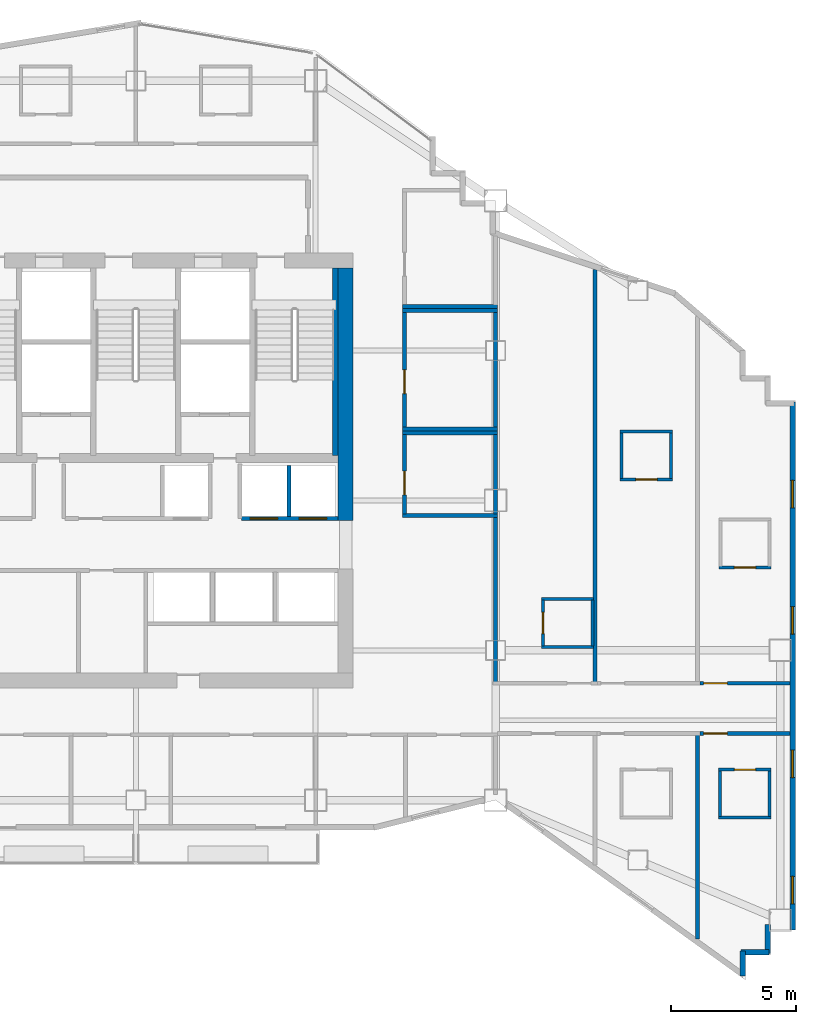
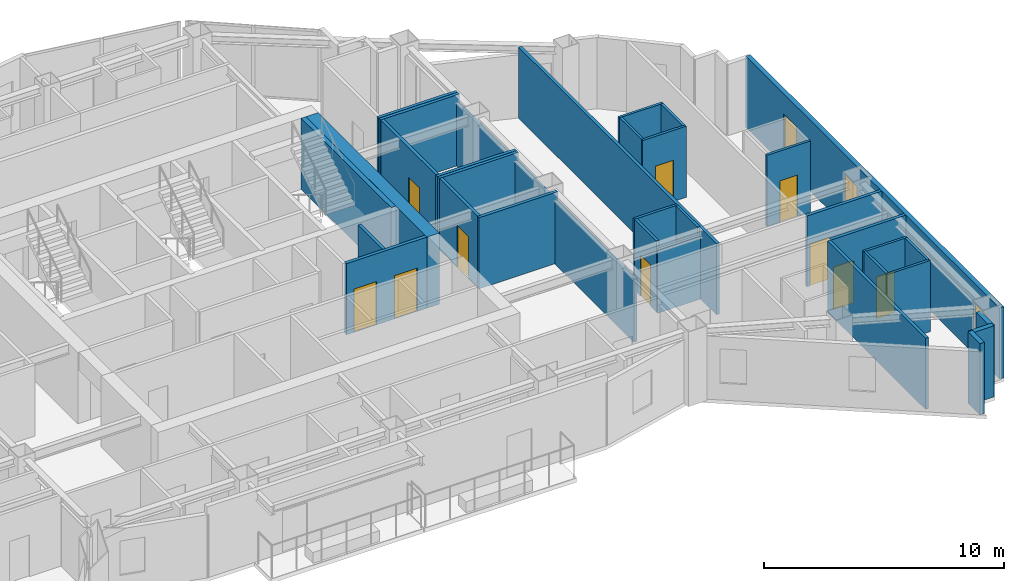
# One storey, part 8 of 11: 35 walls, 10 doors, 4 windows, 14 openings.
"""IFC4 building model written with IfcOpenShell, lengths in metres."""

import ifcopenshell
import ifcopenshell.guid

model = None  # the IFC model being written
_history = None  # IfcOwnerHistory: only IFC2X3 demands one
_inside = {}  # id of a spatial element -> (the spatial element, [elements in it])
_under = {}  # id of a project, library or spatial element -> (it, [spatial elements below it])
_declared = {}  # id of a project -> (the project, [libraries it declares])
_typed = {}  # id of a type object -> (the type object, [elements of that type])
_made_of = {}  # id of a material, layer set ... -> (it, [elements and type objects made of it])


def new_model(schema):
    """Start an empty IFC model of exactly this schema.

    Asked for "IFC4X3", IfcOpenShell would pick the latest addendum, in which some entities
    have other attributes; the version numbers below select the first issue.
    IFC2X3 requires an IfcOwnerHistory on every rooted entity: one is made here for all.
    """
    global model, _history
    if schema == "IFC4X3":
        model = ifcopenshell.file(schema_version=(4, 3, 0, 0))
    else:
        model = ifcopenshell.file(schema=schema)
    _inside.clear()
    _under.clear()
    _declared.clear()
    _typed.clear()
    _made_of.clear()
    _history = None
    if model.schema == "IFC2X3":
        org = make("IfcOrganization", Name="unknown")
        user = make(
            "IfcPersonAndOrganization",
            ThePerson=make("IfcPerson", FamilyName="unknown"),
            TheOrganization=org,
        )
        app = make(
            "IfcApplication",
            ApplicationDeveloper=org,
            Version="unknown",
            ApplicationFullName="unknown",
            ApplicationIdentifier="unknown",
        )
        _history = make(
            "IfcOwnerHistory",
            OwningUser=user,
            OwningApplication=app,
            ChangeAction="ADDED",
            CreationDate=0,
        )
    return model


def make(cls, **values):
    """One entity of the class cls with the attributes given. An attribute that is None is left unset."""
    return model.create_entity(
        cls, **{name: value for name, value in values.items() if value is not None}
    )


def rooted(cls, **values):
    """An entity with a GlobalId (a new one), such as an element, a storey or a relation."""
    return make(cls, GlobalId=ifcopenshell.guid.new(), OwnerHistory=_history, **values)


def si_unit(unit_type, name, prefix=None):
    """IfcSIUnit, for example si_unit("LENGTHUNIT", "METRE", prefix="MILLI")."""
    return make("IfcSIUnit", UnitType=unit_type, Prefix=prefix, Name=name)


def assignment(units):
    """IfcUnitAssignment: the units of a project."""
    return None if units is None else make("IfcUnitAssignment", Units=units)


def point(xyz):
    """IfcCartesianPoint."""
    return None if xyz is None else make("IfcCartesianPoint", Coordinates=xyz)


def direction(xyz):
    """IfcDirection."""
    return None if xyz is None else make("IfcDirection", DirectionRatios=xyz)


def frame(location, z_axis=None, x_axis=None):
    """IfcAxis2Placement3D, a coordinate frame: its origin and axes. An axis left out is left unset."""
    return make(
        "IfcAxis2Placement3D",
        Location=point(location),
        Axis=direction(z_axis),
        RefDirection=direction(x_axis),
    )


def frame_2d(location, x_axis=None):
    """IfcAxis2Placement2D, a coordinate frame in the plane: its origin and x axis."""
    return make(
        "IfcAxis2Placement2D", Location=point(location), RefDirection=direction(x_axis)
    )


def origin():
    """The frame at (0, 0, 0) with its axes left unset."""
    return frame((0.0, 0.0, 0.0))


def place(relative_to, where):
    """IfcLocalPlacement: puts the frame where relative to a parent placement (None: the world)."""
    return make(
        "IfcLocalPlacement", PlacementRelTo=relative_to, RelativePlacement=where
    )


def context(
    kind, dimensions, precision=None, world=None, true_north=None, identifier=None
):
    """IfcGeometricRepresentationContext, for example the 3D "Model" context."""
    return make(
        "IfcGeometricRepresentationContext",
        ContextIdentifier=identifier,
        ContextType=kind,
        CoordinateSpaceDimension=dimensions,
        Precision=precision,
        WorldCoordinateSystem=world,
        TrueNorth=true_north,
    )


def subcontext(parent, identifier, kind, view, scale=None):
    """IfcGeometricRepresentationSubContext, for example "Body" below "Model"."""
    return make(
        "IfcGeometricRepresentationSubContext",
        ContextIdentifier=identifier,
        ContextType=kind,
        ParentContext=parent,
        TargetScale=scale,
        TargetView=view,
    )


def project(units=None, contexts=None):
    """IfcProject with its units and contexts."""
    return rooted(
        "IfcProject",
        Name="project",
        RepresentationContexts=contexts,
        UnitsInContext=assignment(units),
    )


def spatial(cls, under=None, at=None, **own):
    """A site, building, storey or space (cls), placed at a placement, below another one or the project."""
    s = rooted(cls, ObjectPlacement=at, **own)
    if under is not None:
        _under.setdefault(under.id(), (under, []))[1].append(s)
    return s


def profile(cls, at=None, kind="AREA", **sizes):
    """A parametric profile (cls). Its sizes go by their IFC names, for example OverallWidth=200.0."""
    return make(cls, ProfileType=kind, Position=at, **sizes)


def rectangle(**sizes):
    """IfcRectangleProfileDef."""
    return profile("IfcRectangleProfileDef", **sizes)


def extrude(swept, where, along, depth):
    """IfcExtrudedAreaSolid: the profile swept, set in the frame where, extruded along a direction by depth."""
    return make(
        "IfcExtrudedAreaSolid",
        SweptArea=swept,
        Position=where,
        ExtrudedDirection=direction(along),
        Depth=depth,
    )


def shape(context_of_items, identifier, shape_type, items):
    """IfcShapeRepresentation: the items that make up one representation, for example the "Body"."""
    return make(
        "IfcShapeRepresentation",
        ContextOfItems=context_of_items,
        RepresentationIdentifier=identifier,
        RepresentationType=shape_type,
        Items=items,
    )


def material(Name=None, Category=None):
    """IfcMaterial."""
    return make("IfcMaterial", Name=Name, Category=Category)


def layer(
    of_material, thickness, ventilated=None, Name=None, Category=None, Priority=None
):
    """IfcMaterialLayer: one layer of a wall or slab, of a material (None: an air gap)."""
    return make(
        "IfcMaterialLayer",
        Material=of_material,
        LayerThickness=thickness,
        IsVentilated=ventilated,
        Name=Name,
        Category=Category,
        Priority=Priority,
    )


def layer_set(layers, Name=None):
    """IfcMaterialLayerSet."""
    return make("IfcMaterialLayerSet", MaterialLayers=layers, LayerSetName=Name)


def made_of(thing, what):
    """Note that an element or type object is made of a material, layer set ...; save() writes the relation."""
    if what is not None:
        _made_of.setdefault(what.id(), (what, []))[1].append(thing)
    return thing


def type_object(cls, material=None, **own):
    """A type object (cls), such as IfcWallType, which elements share."""
    return made_of(rooted(cls, **own), material)


def element(
    cls,
    number,
    at=None,
    inside=None,
    cuts=None,
    type_object=None,
    material=None,
    context=None,
    identifier="Body",
    shape_type=None,
    held_by="IfcProductDefinitionShape",
    body=None,
    shapes=None,
    **own,
):
    """One element of the class cls, such as IfcWall. Its Tag is "e" and its number.

    at: its placement. inside: the storey or other place that contains it. cuts: it is an
    opening in that element (IfcRelVoidsElement). A single representation is given by context,
    identifier, shape_type and body (its items); several are given by shapes. held_by: the class
    of the entity that holds the representations. save() writes the other relations.
    """
    e = rooted(cls, Tag="e%d" % number, ObjectPlacement=at, **own)
    if body is not None:
        shapes = [shape(context, identifier, shape_type, body)]
    if shapes is not None:
        e.Representation = make(held_by, Representations=shapes)
    if inside is not None:
        _inside.setdefault(inside.id(), (inside, []))[1].append(e)
    if cuts is not None:
        rooted(
            "IfcRelVoidsElement", RelatingBuildingElement=cuts, RelatedOpeningElement=e
        )
    if type_object is not None:
        _typed.setdefault(type_object.id(), (type_object, []))[1].append(e)
    return made_of(e, material)


def fill(opening, filler):
    """IfcRelFillsElement: the door or window that sits in an opening."""
    return rooted(
        "IfcRelFillsElement",
        RelatingOpeningElement=opening,
        RelatedBuildingElement=filler,
    )


def aggregate(whole, parts):
    """IfcRelAggregates: a whole, such as a stair, and the parts it consists of."""
    return rooted("IfcRelAggregates", RelatingObject=whole, RelatedObjects=parts)


def save(model, path):
    """Write the relations noted so far, then the file.

    IfcRelAggregates (storeys below a building ...), IfcRelContainedInSpatialStructure (elements
    in a storey), IfcRelDefinesByType, IfcRelAssociatesMaterial and IfcRelDeclares: one each for
    every whole, place, type object, material and project.
    """
    for whole, parts in _under.values():
        aggregate(whole, parts)
    for where, things in _inside.values():
        rooted(
            "IfcRelContainedInSpatialStructure",
            RelatedElements=things,
            RelatingStructure=where,
        )
    for kind, things in _typed.values():
        rooted("IfcRelDefinesByType", RelatedObjects=things, RelatingType=kind)
    for what, things in _made_of.values():
        rooted("IfcRelAssociatesMaterial", RelatedObjects=things, RelatingMaterial=what)
    for by, libraries in _declared.values():
        rooted("IfcRelDeclares", RelatingContext=by, RelatedDefinitions=libraries)
    model.write(path)


model = new_model("IFC4")

# Units and contexts
model_context = context("Model", 3, precision=1e-05, world=origin(), true_north=direction((0.0, 1.0)))
body_context = subcontext(model_context, "Body", "Model", "MODEL_VIEW")
ifc_project = project(units=[si_unit("LENGTHUNIT", "METRE"), si_unit("AREAUNIT", "SQUARE_METRE"), si_unit("VOLUMEUNIT", "CUBIC_METRE"), si_unit("PLANEANGLEUNIT", "RADIAN"), si_unit("MASSUNIT", "GRAM", prefix="KILO")], contexts=[model_context])

# Site, building, storey
site_placement = place(None, origin())
site = spatial("IfcSite", under=ifc_project, at=site_placement, CompositionType="ELEMENT")
building_placement = place(site_placement, origin())
building = spatial("IfcBuilding", under=site, at=building_placement, Name="Haolan Belvedere Tower", CompositionType="ELEMENT")
storey_placement = place(building_placement, frame((0.0, 0.0, 191.800048828125)))
storey = spatial("IfcBuildingStorey", under=building, at=storey_placement, Name="L48", CompositionType="ELEMENT", Elevation=191.800048828125)

# Walls
ifc_material_1 = material(Name="Concrete C60/75", Category="concrete")
ifc_layer_1 = layer(ifc_material_1, 0.60009765625, Name="Concrete C60/75")
ifc_layer_set_1 = layer_set([ifc_layer_1], Name="Concrete C60/75")
wall_type_1 = type_object("IfcWallType", Name="WL-CORE-600", PredefinedType="SHEAR", material=ifc_layer_set_1)
wall_1_placement = place(storey_placement, frame((46.800048828125, 32.800048828125, 0.0), z_axis=(0.0, 0.0, 1.0), x_axis=(0.0, 1.0, 0.0)))
element("IfcWall", 1, at=wall_1_placement, inside=storey, type_object=wall_type_1, Name="L48 central core shear wall EN", PredefinedType="SHEAR", context=body_context, shape_type="SweptSolid", body=[
    extrude(rectangle(XDim=10.099853515625, YDim=0.60009765625, at=frame_2d((5.0498046875, 0.0))), origin(), (0.0, 0.0, 1.0), 3.619873046875),
])
ifc_material_2 = material(Name="Precast concrete C40/50", Category="concrete")
ifc_layer_2 = layer(ifc_material_2, 0.219970703125, Name="Precast concrete C40/50")
ifc_layer_set_2 = layer_set([ifc_layer_2], Name="Precast concrete C40/50")
wall_type_2 = type_object("IfcWallType", Name="WL-EXT-220", PredefinedType="SOLIDWALL", material=ifc_layer_set_2)
wall_2_placement = place(storey_placement, frame((62.68994140625, 14.559814453125, 0.0), z_axis=(0.0, 0.0, 1.0), x_axis=(0.0, 1.0, 0.0)))
element("IfcWall", 2, at=wall_2_placement, inside=storey, type_object=wall_type_2, Name="L48 pale-metal exterior spandrel wall 4.1", PredefinedType="SOLIDWALL", context=body_context, shape_type="SweptSolid", body=[
    extrude(rectangle(XDim=1.005126953125, YDim=0.219970703125, at=frame_2d((0.50244140625, 0.0))), origin(), (0.0, 0.0, 1.0), 3.619873046875),
])
wall_3_placement = place(storey_placement, frame((62.635009765625, 15.510009765625, 0.0), z_axis=(0.0, 0.0, 1.0), x_axis=(1.0, 0.0, 0.0)))
element("IfcWall", 3, at=wall_3_placement, inside=storey, type_object=wall_type_2, Name="L48 pale-metal exterior spandrel wall 5.1", PredefinedType="SOLIDWALL", context=body_context, shape_type="SweptSolid", body=[
    extrude(rectangle(XDim=1.110107421875, YDim=0.219970703125, at=frame_2d((0.55517578125, 0.0))), origin(), (0.0, 0.0, 1.0), 3.619873046875),
])
wall_4_placement = place(storey_placement, frame((63.68994140625, 15.455078125, 0.0), z_axis=(0.0, 0.0, 1.0), x_axis=(0.0, 1.0, 0.0)))
element("IfcWall", 4, at=wall_4_placement, inside=storey, type_object=wall_type_2, Name="L48 pale-metal exterior spandrel wall 6.1", PredefinedType="SOLIDWALL", context=body_context, shape_type="SweptSolid", body=[
    extrude(rectangle(XDim=1.1650390625, YDim=0.219970703125, at=frame_2d((0.58251953125, 0.0))), origin(), (0.0, 0.0, 1.0), 3.619873046875),
])

# Wall, openings, windows
wall_5_placement = place(storey_placement, frame((64.68994140625, 16.39990234375, 0.0), z_axis=(0.0, 0.0, 1.0), x_axis=(0.0, 1.0, 0.0)))
wall_5 = element("IfcWall", 5, at=wall_5_placement, inside=storey, type_object=wall_type_2, Name="L48 pale-metal exterior spandrel wall 8.1", PredefinedType="SOLIDWALL", context=body_context, shape_type="SweptSolid", body=[
    extrude(rectangle(XDim=21.14501953125, YDim=0.219970703125, at=frame_2d((10.572509765625, 0.0))), origin(), (0.0, 0.0, 1.0), 3.619873046875),
])
opening_1_placement = place(wall_5_placement, frame((1.050048828125, 0.0, 0.85009765625)))
opening_1 = element("IfcOpeningElement", 6, at=opening_1_placement, cuts=wall_5, Name="Opening W-03", PredefinedType="OPENING", context=body_context, shape_type="SweptSolid", body=[
    extrude(rectangle(XDim=1.10009765625, YDim=1.75, at=frame_2d((0.550048828125, 0.875))), frame((0.0, 0.119873046875, 0.0), z_axis=(0.0, -1.0, 0.0), x_axis=(1.0, 0.0, 0.0)), (0.0, 0.0, 1.0), 0.239990234375),
])
opening_2_placement = place(wall_5_placement, frame((6.10009765625, 0.0, 0.85009765625)))
opening_2 = element("IfcOpeningElement", 7, at=opening_2_placement, cuts=wall_5, Name="Opening W-03", PredefinedType="OPENING", context=body_context, shape_type="SweptSolid", body=[
    extrude(rectangle(XDim=1.10009765625, YDim=1.75, at=frame_2d((0.550048828125, 0.875))), frame((0.0, 0.119873046875, 0.0), z_axis=(0.0, -1.0, 0.0), x_axis=(1.0, 0.0, 0.0)), (0.0, 0.0, 1.0), 0.239990234375),
])
opening_3_placement = place(wall_5_placement, frame((11.85009765625, 0.0, 0.85009765625)))
opening_3 = element("IfcOpeningElement", 8, at=opening_3_placement, cuts=wall_5, Name="Opening W-03", PredefinedType="OPENING", context=body_context, shape_type="SweptSolid", body=[
    extrude(rectangle(XDim=1.10009765625, YDim=1.75, at=frame_2d((0.550048828125, 0.875))), frame((0.0, 0.119873046875, 0.0), z_axis=(0.0, -1.0, 0.0), x_axis=(1.0, 0.0, 0.0)), (0.0, 0.0, 1.0), 0.239990234375),
])
opening_4_placement = place(wall_5_placement, frame((16.89990234375, 0.0, 0.85009765625)))
opening_4 = element("IfcOpeningElement", 9, at=opening_4_placement, cuts=wall_5, Name="Opening W-03", PredefinedType="OPENING", context=body_context, shape_type="SweptSolid", body=[
    extrude(rectangle(XDim=1.10009765625, YDim=1.75, at=frame_2d((0.550048828125, 0.875))), frame((0.0, 0.119873046875, 0.0), z_axis=(0.0, -1.0, 0.0), x_axis=(1.0, 0.0, 0.0)), (0.0, 0.0, 1.0), 0.239990234375),
])
ifc_material_3 = material(Name="Anodised aluminium 6063-T6 and Low-E glass", Category="aluminium")
window_type = type_object("IfcWindowType", Name="WN-DECO-Z3", PartitioningType="SINGLE_PANEL", PredefinedType="WINDOW", material=ifc_material_3)
window_1_placement = place(opening_1_placement, origin())
window_1 = element("IfcWindow", 10, at=window_1_placement, inside=storey, type_object=window_type, Name="L48 Art Deco chevron window 1", OverallHeight=1.75, OverallWidth=1.10009765625, PartitioningType="SINGLE_PANEL", PredefinedType="WINDOW", context=body_context, shape_type="SweptSolid", body=[
    extrude(rectangle(XDim=1.10009765625, YDim=1.75, at=frame_2d((0.550048828125, 0.875))), frame((0.0, 0.030029296875, 0.0), z_axis=(0.0, -1.0, 0.0), x_axis=(1.0, 0.0, 0.0)), (0.0, 0.0, 1.0), 0.06005859375),
])
fill(opening_1, window_1)
window_2_placement = place(opening_2_placement, origin())
window_2 = element("IfcWindow", 11, at=window_2_placement, inside=storey, type_object=window_type, Name="L48 Art Deco chevron window 2", OverallHeight=1.75, OverallWidth=1.10009765625, PartitioningType="SINGLE_PANEL", PredefinedType="WINDOW", context=body_context, shape_type="SweptSolid", body=[
    extrude(rectangle(XDim=1.10009765625, YDim=1.75, at=frame_2d((0.550048828125, 0.875))), frame((0.0, 0.030029296875, 0.0), z_axis=(0.0, -1.0, 0.0), x_axis=(1.0, 0.0, 0.0)), (0.0, 0.0, 1.0), 0.06005859375),
])
fill(opening_2, window_2)
window_3_placement = place(opening_3_placement, origin())
window_3 = element("IfcWindow", 12, at=window_3_placement, inside=storey, type_object=window_type, Name="L48 Art Deco chevron window 3", OverallHeight=1.75, OverallWidth=1.10009765625, PartitioningType="SINGLE_PANEL", PredefinedType="WINDOW", context=body_context, shape_type="SweptSolid", body=[
    extrude(rectangle(XDim=1.10009765625, YDim=1.75, at=frame_2d((0.550048828125, 0.875))), frame((0.0, 0.030029296875, 0.0), z_axis=(0.0, -1.0, 0.0), x_axis=(1.0, 0.0, 0.0)), (0.0, 0.0, 1.0), 0.06005859375),
])
fill(opening_3, window_3)
window_4_placement = place(opening_4_placement, origin())
window_4 = element("IfcWindow", 13, at=window_4_placement, inside=storey, type_object=window_type, Name="L48 Art Deco chevron window 4", OverallHeight=1.75, OverallWidth=1.10009765625, PartitioningType="SINGLE_PANEL", PredefinedType="WINDOW", context=body_context, shape_type="SweptSolid", body=[
    extrude(rectangle(XDim=1.10009765625, YDim=1.75, at=frame_2d((0.550048828125, 0.875))), frame((0.0, 0.030029296875, 0.0), z_axis=(0.0, -1.0, 0.0), x_axis=(1.0, 0.0, 0.0)), (0.0, 0.0, 1.0), 0.06005859375),
])
fill(opening_4, window_4)

# Walls
ifc_material_4 = material(Name="Double gypsum acoustic stud partition", Category="masonry")
ifc_layer_3 = layer(ifc_material_4, 0.14990234375, Name="Double gypsum acoustic stud partition")
ifc_layer_set_3 = layer_set([ifc_layer_3], Name="Double gypsum acoustic stud partition")
wall_type_3 = type_object("IfcWallType", Name="WL-PART-150", PredefinedType="PARTITIONING", material=ifc_layer_set_3)
for number, where, z_axis, x_axis, name in (
    (14, (49.080078125, 36.300048828125, 0.0), (0.0, 0.0, 1.0), (1.0, 0.0, 0.0), "L48 interior partition IW-L48-AWC-N"),
    (15, (49.080078125, 33.0, 0.0), (0.0, 0.0, 1.0), (1.0, 0.0, 0.0), "L48 interior partition IW-L48-AWC-S"),
):
    element("IfcWall", number, at=place(storey_placement, frame(where, z_axis=z_axis, x_axis=x_axis)), inside=storey, type_object=wall_type_3, Name=name, PredefinedType="PARTITIONING", context=body_context, shape_type="SweptSolid", body=[
        extrude(rectangle(XDim=3.7998046875, YDim=0.14990234375, at=frame_2d((1.89990234375, 0.0))), origin(), (0.0, 0.0, 1.0), 3.619873046875),
    ])

# Wall, opening, door
wall_6_placement = place(storey_placement, frame((49.159912109375, 33.06005859375, 0.0), z_axis=(0.0, 0.0, 1.0), x_axis=(0.0, 1.0, 0.0)))
wall_6 = element("IfcWall", 16, at=wall_6_placement, inside=storey, type_object=wall_type_3, Name="L48 interior partition IW-L48-AWC-W", PredefinedType="PARTITIONING", context=body_context, shape_type="SweptSolid", body=[
    extrude(rectangle(XDim=3.179931640625, YDim=0.14990234375, at=frame_2d((1.58984375, 0.0))), origin(), (0.0, 0.0, 1.0), 3.619873046875),
])
opening_5_placement = place(wall_6_placement, frame((0.760009765625, 0.0, 0.0)))
opening_5 = element("IfcOpeningElement", 17, at=opening_5_placement, cuts=wall_6, Name="Opening ID-03", PredefinedType="OPENING", context=body_context, shape_type="SweptSolid", body=[
    extrude(rectangle(XDim=0.949951171875, YDim=2.1201171875, at=frame_2d((0.47509765625, 1.06005859375))), frame((0.0, 0.0849609375, 0.0), z_axis=(0.0, -1.0, 0.0), x_axis=(1.0, 0.0, 0.0)), (0.0, 0.0, 1.0), 0.169921875),
])
ifc_material_5 = material(Name="Painted solid-core timber", Category="wood")
door_type_1 = type_object("IfcDoorType", Name="DR-INT-950", OperationType="NOTDEFINED", PredefinedType="DOOR", material=ifc_material_5)
door_1_placement = place(opening_5_placement, origin())
door_1 = element("IfcDoor", 18, at=door_1_placement, inside=storey, type_object=door_type_1, Name="L48 door ID-L48-AWC", OperationType="SINGLE_SWING_LEFT", OverallHeight=2.1201171875, OverallWidth=0.949951171875, PredefinedType="DOOR", context=body_context, shape_type="SweptSolid", body=[
    extrude(rectangle(XDim=0.949951171875, YDim=2.1201171875, at=frame_2d((0.47509765625, 1.06005859375))), frame((0.0, 0.02490234375, 0.0), z_axis=(0.0, -1.0, 0.0), x_axis=(1.0, 0.0, 0.0)), (0.0, 0.0, 1.0), 0.050048828125),
])
fill(opening_5, door_1)

# Walls
wall_7_placement = place(storey_placement, frame((52.800048828125, 33.06005859375, 0.0), z_axis=(0.0, 0.0, 1.0), x_axis=(0.0, 1.0, 0.0)))
element("IfcWall", 19, at=wall_7_placement, inside=storey, type_object=wall_type_3, Name="L48 interior partition IW-L48-AWC-E", PredefinedType="PARTITIONING", context=body_context, shape_type="SweptSolid", body=[
    extrude(rectangle(XDim=3.179931640625, YDim=0.14990234375, at=frame_2d((1.58984375, 0.0))), origin(), (0.0, 0.0, 1.0), 3.21484375),
])
for number, where, z_axis, x_axis, name in (
    (20, (49.080078125, 41.199951171875, 0.0), (0.0, 0.0, 1.0), (1.0, 0.0, 0.0), "L48 interior partition IW-L48-STY-N"),
    (21, (49.080078125, 36.4599609375, 0.0), (0.0, 0.0, 1.0), (1.0, 0.0, 0.0), "L48 interior partition IW-L48-STY-S"),
):
    element("IfcWall", number, at=place(storey_placement, frame(where, z_axis=z_axis, x_axis=x_axis)), inside=storey, type_object=wall_type_3, Name=name, PredefinedType="PARTITIONING", context=body_context, shape_type="SweptSolid", body=[
        extrude(rectangle(XDim=3.7998046875, YDim=0.14990234375, at=frame_2d((1.89990234375, 0.0))), origin(), (0.0, 0.0, 1.0), 3.619873046875),
    ])

# Wall, opening, door
wall_8_placement = place(storey_placement, frame((49.159912109375, 36.52001953125, 0.0), z_axis=(0.0, 0.0, 1.0), x_axis=(0.0, 1.0, 0.0)))
wall_8 = element("IfcWall", 22, at=wall_8_placement, inside=storey, type_object=wall_type_3, Name="L48 interior partition IW-L48-STY-W", PredefinedType="PARTITIONING", context=body_context, shape_type="SweptSolid", body=[
    extrude(rectangle(XDim=4.619873046875, YDim=0.14990234375, at=frame_2d((2.31005859375, 0.0))), origin(), (0.0, 0.0, 1.0), 3.619873046875),
])
opening_6_placement = place(wall_8_placement, frame((1.360107421875, 0.0, 0.0)))
opening_6 = element("IfcOpeningElement", 23, at=opening_6_placement, cuts=wall_8, Name="Opening ID-03", PredefinedType="OPENING", context=body_context, shape_type="SweptSolid", body=[
    extrude(rectangle(XDim=0.949951171875, YDim=2.1201171875, at=frame_2d((0.47509765625, 1.06005859375))), frame((0.0, 0.0849609375, 0.0), z_axis=(0.0, -1.0, 0.0), x_axis=(1.0, 0.0, 0.0)), (0.0, 0.0, 1.0), 0.169921875),
])
door_2_placement = place(opening_6_placement, origin())
door_2 = element("IfcDoor", 24, at=door_2_placement, inside=storey, type_object=door_type_1, Name="L48 door ID-L48-STY", OperationType="SINGLE_SWING_RIGHT", OverallHeight=2.1201171875, OverallWidth=0.949951171875, PredefinedType="DOOR", context=body_context, shape_type="SweptSolid", body=[
    extrude(rectangle(XDim=0.949951171875, YDim=2.1201171875, at=frame_2d((0.47509765625, 1.06005859375))), frame((0.0, 0.02490234375, 0.0), z_axis=(0.0, -1.0, 0.0), x_axis=(1.0, 0.0, 0.0)), (0.0, 0.0, 1.0), 0.050048828125),
])
fill(opening_6, door_2)

# Walls
wall_9_placement = place(storey_placement, frame((52.800048828125, 36.52001953125, 0.0), z_axis=(0.0, 0.0, 1.0), x_axis=(0.0, 1.0, 0.0)))
element("IfcWall", 25, at=wall_9_placement, inside=storey, type_object=wall_type_3, Name="L48 interior partition IW-L48-STY-E", PredefinedType="PARTITIONING", context=body_context, shape_type="SweptSolid", body=[
    extrude(rectangle(XDim=4.619873046875, YDim=0.14990234375, at=frame_2d((2.31005859375, 0.0))), origin(), (0.0, 0.0, 1.0), 3.21484375),
])
wall_10_placement = place(storey_placement, frame((49.080078125, 41.360107421875, 0.0), z_axis=(0.0, 0.0, 1.0), x_axis=(1.0, 0.0, 0.0)))
element("IfcWall", 26, at=wall_10_placement, inside=storey, type_object=wall_type_3, Name="L48 interior partition IW-L48-PNT-S", PredefinedType="PARTITIONING", context=body_context, shape_type="SweptSolid", body=[
    extrude(rectangle(XDim=3.7998046875, YDim=0.14990234375, at=frame_2d((1.89990234375, 0.0))), origin(), (0.0, 0.0, 1.0), 3.619873046875),
])
wall_11_placement = place(storey_placement, frame((52.800048828125, 26.340087890625, 0.0), z_axis=(0.0, 0.0, 1.0), x_axis=(0.0, 1.0, 0.0)))
element("IfcWall", 27, at=wall_11_placement, inside=storey, type_object=wall_type_3, Name="L48 interior partition IW-L48-T4N1-W", PredefinedType="PARTITIONING", context=body_context, shape_type="SweptSolid", body=[
    extrude(rectangle(XDim=6.599853515625, YDim=0.14990234375, at=frame_2d((3.2998046875, 0.0))), origin(), (0.0, 0.0, 1.0), 3.21484375),
])
wall_12_placement = place(storey_placement, frame((56.780029296875, 26.340087890625, 0.0), z_axis=(0.0, 0.0, 1.0), x_axis=(0.0, 1.0, 0.0)))
element("IfcWall", 28, at=wall_12_placement, inside=storey, type_object=wall_type_3, Name="L48 interior partition IW-L48-T4N1-E", PredefinedType="PARTITIONING", context=body_context, shape_type="SweptSolid", body=[
    extrude(rectangle(XDim=16.509765625, YDim=0.14990234375, at=frame_2d((8.2548828125, 0.0))), origin(), (0.0, 0.0, 1.0), 3.619873046875),
])

# Wall, opening, door
wall_13_placement = place(storey_placement, frame((60.991943359375, 26.280029296875, 0.0), z_axis=(0.0, 0.0, 1.0), x_axis=(1.0, 0.0, 0.0)))
wall_13 = element("IfcWall", 29, at=wall_13_placement, inside=storey, type_object=wall_type_3, Name="L48 interior partition IW-L48-T4N3-S", PredefinedType="PARTITIONING", context=body_context, shape_type="SweptSolid", body=[
    extrude(rectangle(XDim=3.595947265625, YDim=0.14990234375, at=frame_2d((1.7978515625, 0.0))), origin(), (0.0, 0.0, 1.0), 3.619873046875),
])
opening_7_placement = place(wall_13_placement, frame((0.139892578125, 0.0, 0.0)))
opening_7 = element("IfcOpeningElement", 30, at=opening_7_placement, cuts=wall_13, Name="Opening ID-02", PredefinedType="OPENING", context=body_context, shape_type="SweptSolid", body=[
    extrude(rectangle(XDim=0.949951171875, YDim=2.14990234375, at=frame_2d((0.47509765625, 1.074951171875))), frame((0.0, 0.0849609375, 0.0), z_axis=(0.0, -1.0, 0.0), x_axis=(1.0, 0.0, 0.0)), (0.0, 0.0, 1.0), 0.169921875),
])
ifc_material_6 = material(Name="Acoustic oak veneer fire-rated timber", Category="wood")
door_type_2 = type_object("IfcDoorType", Name="DR-GUEST-950", OperationType="NOTDEFINED", PredefinedType="DOOR", material=ifc_material_6)
door_3_placement = place(opening_7_placement, origin())
door_3 = element("IfcDoor", 31, at=door_3_placement, inside=storey, type_object=door_type_2, Name="L48 door ID-L48-T4N3-ENT", OperationType="SINGLE_SWING_LEFT", OverallHeight=2.14990234375, OverallWidth=0.949951171875, PredefinedType="DOOR", context=body_context, shape_type="SweptSolid", body=[
    extrude(rectangle(XDim=0.949951171875, YDim=2.14990234375, at=frame_2d((0.47509765625, 1.074951171875))), frame((0.0, 0.02490234375, 0.0), z_axis=(0.0, -1.0, 0.0), x_axis=(1.0, 0.0, 0.0)), (0.0, 0.0, 1.0), 0.050048828125),
])
fill(opening_7, door_3)

# Wall
wall_14_placement = place(storey_placement, frame((60.889892578125, 16.036376953125, 0.0), z_axis=(0.0, 0.0, 1.0), x_axis=(0.0, 1.0, 0.0)))
element("IfcWall", 32, at=wall_14_placement, inside=storey, type_object=wall_type_3, Name="L48 interior partition IW-L48-T4S2-E", PredefinedType="PARTITIONING", context=body_context, shape_type="SweptSolid", body=[
    extrude(rectangle(XDim=8.173583984375, YDim=0.14990234375, at=frame_2d((4.0869140625, 0.0))), origin(), (0.0, 0.0, 1.0), 3.619873046875),
])

# Wall, opening, door
wall_15_placement = place(storey_placement, frame((60.991943359375, 24.27001953125, 0.0), z_axis=(0.0, 0.0, 1.0), x_axis=(1.0, 0.0, 0.0)))
wall_15 = element("IfcWall", 33, at=wall_15_placement, inside=storey, type_object=wall_type_3, Name="L48 interior partition IW-L48-T4S3-N", PredefinedType="PARTITIONING", context=body_context, shape_type="SweptSolid", body=[
    extrude(rectangle(XDim=3.595947265625, YDim=0.14990234375, at=frame_2d((1.7978515625, 0.0))), origin(), (0.0, 0.0, 1.0), 3.619873046875),
])
opening_8_placement = place(wall_15_placement, frame((1.08984375, 0.0, 0.0), z_axis=(0.0, 0.0, 1.0), x_axis=(-1.0, 0.0, 0.0)))
opening_8 = element("IfcOpeningElement", 34, at=opening_8_placement, cuts=wall_15, Name="Opening ID-02", PredefinedType="OPENING", context=body_context, shape_type="SweptSolid", body=[
    extrude(rectangle(XDim=0.949951171875, YDim=2.14990234375, at=frame_2d((0.47509765625, 1.074951171875))), frame((0.0, 0.0849609375, 0.0), z_axis=(0.0, -1.0, 0.0), x_axis=(1.0, 0.0, 0.0)), (0.0, 0.0, 1.0), 0.169921875),
])
door_4_placement = place(opening_8_placement, origin())
door_4 = element("IfcDoor", 35, at=door_4_placement, inside=storey, type_object=door_type_2, Name="L48 door ID-L48-T4S3-ENT", OperationType="SINGLE_SWING_RIGHT", OverallHeight=2.14990234375, OverallWidth=0.949951171875, PredefinedType="DOOR", context=body_context, shape_type="SweptSolid", body=[
    extrude(rectangle(XDim=0.949951171875, YDim=2.14990234375, at=frame_2d((0.47509765625, 1.074951171875))), frame((0.0, 0.02490234375, 0.0), z_axis=(0.0, -1.0, 0.0), x_axis=(1.0, 0.0, 0.0)), (0.0, 0.0, 1.0), 0.050048828125),
])
fill(opening_8, door_4)

# Wall, openings, doors
ifc_material_7 = material(Name="Gypsum fire shaftwall assembly", Category="masonry")
ifc_layer_4 = layer(ifc_material_7, 0.1650390625, Name="Gypsum fire shaftwall assembly")
ifc_layer_set_4 = layer_set([ifc_layer_4], Name="Gypsum fire shaftwall assembly")
wall_type_4 = type_object("IfcWallType", Name="WL-SHAFT-160", PredefinedType="SOLIDWALL", material=ifc_layer_set_4)
wall_16_placement = place(storey_placement, frame((42.6298828125, 32.8798828125, 0.0), z_axis=(0.0, 0.0, 1.0), x_axis=(1.0, 0.0, 0.0)))
wall_16 = element("IfcWall", 36, at=wall_16_placement, inside=storey, type_object=wall_type_4, Name="L48 interior partition IW-L48-ROW-PN3", PredefinedType="SOLIDWALL", context=body_context, shape_type="SweptSolid", body=[
    extrude(rectangle(XDim=3.8701171875, YDim=0.159912109375, at=frame_2d((1.93505859375, 0.0))), origin(), (0.0, 0.0, 1.0), 3.619873046875),
])
opening_9_placement = place(wall_16_placement, frame((1.4501953125, 0.0, 0.0), z_axis=(0.0, 0.0, 1.0), x_axis=(-1.0, 0.0, 0.0)))
opening_9 = element("IfcOpeningElement", 37, at=opening_9_placement, cuts=wall_16, Name="Opening LD-01", PredefinedType="OPENING", context=body_context, shape_type="SweptSolid", body=[
    extrude(rectangle(XDim=1.10009765625, YDim=2.199951171875, at=frame_2d((0.550048828125, 1.10009765625))), frame((0.0, 0.08984375, 0.0), z_axis=(0.0, -1.0, 0.0), x_axis=(1.0, 0.0, 0.0)), (0.0, 0.0, 1.0), 0.179931640625),
])
opening_10_placement = place(wall_16_placement, frame((3.41015625, 0.0, 0.0), z_axis=(0.0, 0.0, 1.0), x_axis=(-1.0, 0.0, 0.0)))
opening_10 = element("IfcOpeningElement", 38, at=opening_10_placement, cuts=wall_16, Name="Opening LD-01", PredefinedType="OPENING", context=body_context, shape_type="SweptSolid", body=[
    extrude(rectangle(XDim=1.10009765625, YDim=2.199951171875, at=frame_2d((0.550048828125, 1.10009765625))), frame((0.0, 0.08984375, 0.0), z_axis=(0.0, -1.0, 0.0), x_axis=(1.0, 0.0, 0.0)), (0.0, 0.0, 1.0), 0.179931640625),
])
ifc_material_8 = material(Name="Brushed champagne stainless steel 316L", Category="steel")
door_type_3 = type_object("IfcDoorType", Name="DR-LIFT-1100", OperationType="SLIDING_TO_LEFT", PredefinedType="DOOR", material=ifc_material_8)
door_5_placement = place(opening_9_placement, origin())
door_5 = element("IfcDoor", 39, at=door_5_placement, inside=storey, type_object=door_type_3, Name="L48 door ID-L48-LD-PH2", OperationType="SLIDING_TO_RIGHT", OverallHeight=2.199951171875, OverallWidth=1.10009765625, PredefinedType="DOOR", context=body_context, shape_type="SweptSolid", body=[
    extrude(rectangle(XDim=1.10009765625, YDim=2.199951171875, at=frame_2d((0.550048828125, 1.10009765625))), frame((0.0, 0.02490234375, 0.0), z_axis=(0.0, -1.0, 0.0), x_axis=(1.0, 0.0, 0.0)), (0.0, 0.0, 1.0), 0.050048828125),
])
fill(opening_9, door_5)
door_6_placement = place(opening_10_placement, origin())
door_6 = element("IfcDoor", 40, at=door_6_placement, inside=storey, type_object=door_type_3, Name="L48 door ID-L48-LD-PH3", OperationType="SLIDING_TO_RIGHT", OverallHeight=2.199951171875, OverallWidth=1.10009765625, PredefinedType="DOOR", context=body_context, shape_type="SweptSolid", body=[
    extrude(rectangle(XDim=1.10009765625, YDim=2.199951171875, at=frame_2d((0.550048828125, 1.10009765625))), frame((0.0, 0.02490234375, 0.0), z_axis=(0.0, -1.0, 0.0), x_axis=(1.0, 0.0, 0.0)), (0.0, 0.0, 1.0), 0.050048828125),
])
fill(opening_10, door_6)

# Walls
wall_17_placement = place(storey_placement, frame((44.530029296875, 32.949951171875, 0.0), z_axis=(0.0, 0.0, 1.0), x_axis=(0.0, 1.0, 0.0)))
element("IfcWall", 41, at=wall_17_placement, inside=storey, type_object=wall_type_4, Name="L48 interior partition IW-L48-DIV-PH2", PredefinedType="SOLIDWALL", context=body_context, shape_type="SweptSolid", body=[
    extrude(rectangle(XDim=2.050048828125, YDim=0.14990234375, at=frame_2d((1.02490234375, 0.0))), origin(), (0.0, 0.0, 1.0), 3.619873046875),
])
ifc_material_9 = material(Name="Concrete C50/60", Category="concrete")
ifc_layer_5 = layer(ifc_material_9, 0.219970703125, Name="Concrete C50/60")
ifc_layer_set_5 = layer_set([ifc_layer_5], Name="Concrete C50/60")
wall_type_5 = type_object("IfcWallType", Name="WL-STAIR-220", PredefinedType="SHEAR", material=ifc_layer_set_5)
wall_18_placement = place(storey_placement, frame((46.387939453125, 35.389892578125, 0.0), z_axis=(0.0, 0.0, 1.0), x_axis=(0.0, 1.0, 0.0)))
element("IfcWall", 42, at=wall_18_placement, inside=storey, type_object=wall_type_5, Name="L48 structural stair core wall ST2E", PredefinedType="SHEAR", context=body_context, shape_type="SweptSolid", body=[
    extrude(rectangle(XDim=7.510009765625, YDim=0.219970703125, at=frame_2d((3.7548828125, 0.0))), origin(), (0.0, 0.0, 1.0), 3.619873046875),
])
ifc_material_10 = material(Name="Moisture-resistant gypsum tile partition", Category="masonry")
ifc_layer_6 = layer(ifc_material_10, 0.1201171875, Name="Moisture-resistant gypsum tile partition")
ifc_layer_set_6 = layer_set([ifc_layer_6], Name="Moisture-resistant gypsum tile partition")
wall_type_6 = type_object("IfcWallType", Name="WL-WET-120", PredefinedType="PARTITIONING", material=ifc_layer_set_6)
wall_19_placement = place(storey_placement, frame((54.639892578125, 29.64990234375, 0.0), z_axis=(0.0, 0.0, 1.0), x_axis=(1.0, 0.0, 0.0)))
element("IfcWall", 43, at=wall_19_placement, inside=storey, type_object=wall_type_6, Name="L48 interior partition IW-L48-T4N1-BN", PredefinedType="PARTITIONING", context=body_context, shape_type="SweptSolid", body=[
    extrude(rectangle(XDim=2.080078125, YDim=0.1201171875, at=frame_2d((1.0400390625, 0.0))), origin(), (0.0, 0.0, 1.0), 3.619873046875),
])
wall_20_placement = place(storey_placement, frame((54.639892578125, 27.72998046875, 0.0), z_axis=(0.0, 0.0, 1.0), x_axis=(1.0, 0.0, 0.0)))
element("IfcWall", 44, at=wall_20_placement, inside=storey, type_object=wall_type_6, Name="L48 interior partition IW-L48-T4N1-BS", PredefinedType="PARTITIONING", context=body_context, shape_type="SweptSolid", body=[
    extrude(rectangle(XDim=2.080078125, YDim=0.1201171875, at=frame_2d((1.0400390625, 0.0))), origin(), (0.0, 0.0, 1.0), 3.21484375),
])

# Wall, opening, door
wall_21_placement = place(storey_placement, frame((54.699951171875, 27.77490234375, 0.0), z_axis=(0.0, 0.0, 1.0), x_axis=(0.0, 1.0, 0.0)))
wall_21 = element("IfcWall", 45, at=wall_21_placement, inside=storey, type_object=wall_type_6, Name="L48 interior partition IW-L48-T4N1-BW", PredefinedType="PARTITIONING", context=body_context, shape_type="SweptSolid", body=[
    extrude(rectangle(XDim=1.830078125, YDim=0.1201171875, at=frame_2d((0.9150390625, 0.0))), origin(), (0.0, 0.0, 1.0), 3.619873046875),
])
opening_11_placement = place(wall_21_placement, frame((1.340087890625, 0.0, 0.0), z_axis=(0.0, 0.0, 1.0), x_axis=(-1.0, 0.0, 0.0)))
opening_11 = element("IfcOpeningElement", 46, at=opening_11_placement, cuts=wall_21, Name="Opening ID-05", PredefinedType="OPENING", context=body_context, shape_type="SweptSolid", body=[
    extrude(rectangle(XDim=0.85009765625, YDim=2.10009765625, at=frame_2d((0.425048828125, 1.050048828125))), frame((0.0, 0.070068359375, 0.0), z_axis=(0.0, -1.0, 0.0), x_axis=(1.0, 0.0, 0.0)), (0.0, 0.0, 1.0), 0.14013671875),
])
ifc_material_11 = material(Name="Moisture-resistant lacquered timber", Category="wood")
door_type_4 = type_object("IfcDoorType", Name="DR-BATH-850", OperationType="NOTDEFINED", PredefinedType="DOOR", material=ifc_material_11)
door_7_placement = place(opening_11_placement, origin())
door_7 = element("IfcDoor", 47, at=door_7_placement, inside=storey, type_object=door_type_4, Name="L48 door ID-L48-T4N1-BATH", OperationType="SINGLE_SWING_RIGHT", OverallHeight=2.10009765625, OverallWidth=0.85009765625, PredefinedType="DOOR", context=body_context, shape_type="SweptSolid", body=[
    extrude(rectangle(XDim=0.85009765625, YDim=2.10009765625, at=frame_2d((0.425048828125, 1.050048828125))), frame((0.0, 0.02490234375, 0.0), z_axis=(0.0, -1.0, 0.0), x_axis=(1.0, 0.0, 0.0)), (0.0, 0.0, 1.0), 0.050048828125),
])
fill(opening_11, door_7)

# Walls
wall_22_placement = place(storey_placement, frame((56.679931640625, 27.77490234375, 0.0), z_axis=(0.0, 0.0, 1.0), x_axis=(0.0, 1.0, 0.0)))
element("IfcWall", 48, at=wall_22_placement, inside=storey, type_object=wall_type_6, Name="L48 interior partition IW-L48-T4N1-BE", PredefinedType="PARTITIONING", context=body_context, shape_type="SweptSolid", body=[
    extrude(rectangle(XDim=1.830078125, YDim=0.1201171875, at=frame_2d((0.9150390625, 0.0))), origin(), (0.0, 0.0, 1.0), 3.619873046875),
])
wall_23_placement = place(storey_placement, frame((57.7919921875, 36.35302734375, 0.0), z_axis=(0.0, 0.0, 1.0), x_axis=(1.0, 0.0, 0.0)))
element("IfcWall", 49, at=wall_23_placement, inside=storey, type_object=wall_type_6, Name="L48 interior partition IW-L48-T4N2-BN", PredefinedType="PARTITIONING", context=body_context, shape_type="SweptSolid", body=[
    extrude(rectangle(XDim=2.10009765625, YDim=0.1201171875, at=frame_2d((1.050048828125, 0.0))), origin(), (0.0, 0.0, 1.0), 3.619873046875),
])

# Wall, opening, door
wall_24_placement = place(storey_placement, frame((57.7919921875, 34.43310546875, 0.0), z_axis=(0.0, 0.0, 1.0), x_axis=(1.0, 0.0, 0.0)))
wall_24 = element("IfcWall", 50, at=wall_24_placement, inside=storey, type_object=wall_type_6, Name="L48 interior partition IW-L48-T4N2-BS", PredefinedType="PARTITIONING", context=body_context, shape_type="SweptSolid", body=[
    extrude(rectangle(XDim=2.10009765625, YDim=0.1201171875, at=frame_2d((1.050048828125, 0.0))), origin(), (0.0, 0.0, 1.0), 3.619873046875),
])
opening_12_placement = place(wall_24_placement, frame((0.625, 0.0, 0.0)))
opening_12 = element("IfcOpeningElement", 51, at=opening_12_placement, cuts=wall_24, Name="Opening ID-05", PredefinedType="OPENING", context=body_context, shape_type="SweptSolid", body=[
    extrude(rectangle(XDim=0.85009765625, YDim=2.10009765625, at=frame_2d((0.425048828125, 1.050048828125))), frame((0.0, 0.070068359375, 0.0), z_axis=(0.0, -1.0, 0.0), x_axis=(1.0, 0.0, 0.0)), (0.0, 0.0, 1.0), 0.14013671875),
])
door_8_placement = place(opening_12_placement, origin())
door_8 = element("IfcDoor", 52, at=door_8_placement, inside=storey, type_object=door_type_4, Name="L48 door ID-L48-T4N2-BATH", OperationType="SINGLE_SWING_LEFT", OverallHeight=2.10009765625, OverallWidth=0.85009765625, PredefinedType="DOOR", context=body_context, shape_type="SweptSolid", body=[
    extrude(rectangle(XDim=0.85009765625, YDim=2.10009765625, at=frame_2d((0.425048828125, 1.050048828125))), frame((0.0, 0.02490234375, 0.0), z_axis=(0.0, -1.0, 0.0), x_axis=(1.0, 0.0, 0.0)), (0.0, 0.0, 1.0), 0.050048828125),
])
fill(opening_12, door_8)

# Walls
for number, where, z_axis, x_axis, name in (
    (53, (57.85205078125, 34.47802734375, 0.0), (0.0, 0.0, 1.0), (0.0, 1.0, 0.0), "L48 interior partition IW-L48-T4N2-BW"),
    (54, (59.83203125, 34.47802734375, 0.0), (0.0, 0.0, 1.0), (0.0, 1.0, 0.0), "L48 interior partition IW-L48-T4N2-BE"),
):
    element("IfcWall", number, at=place(storey_placement, frame(where, z_axis=z_axis, x_axis=x_axis)), inside=storey, type_object=wall_type_6, Name=name, PredefinedType="PARTITIONING", context=body_context, shape_type="SweptSolid", body=[
        extrude(rectangle(XDim=1.830078125, YDim=0.1201171875, at=frame_2d((0.9150390625, 0.0))), origin(), (0.0, 0.0, 1.0), 3.619873046875),
    ])

# Wall, opening, door
wall_25_placement = place(storey_placement, frame((61.737060546875, 30.9150390625, 0.0), z_axis=(0.0, 0.0, 1.0), x_axis=(1.0, 0.0, 0.0)))
wall_25 = element("IfcWall", 55, at=wall_25_placement, inside=storey, type_object=wall_type_6, Name="L48 interior partition IW-L48-T4N3-BS", PredefinedType="PARTITIONING", context=body_context, shape_type="SweptSolid", body=[
    extrude(rectangle(XDim=2.099853515625, YDim=0.1201171875, at=frame_2d((1.0498046875, 0.0))), origin(), (0.0, 0.0, 1.0), 3.619873046875),
])
opening_13_placement = place(wall_25_placement, frame((0.625, 0.0, 0.0)))
opening_13 = element("IfcOpeningElement", 56, at=opening_13_placement, cuts=wall_25, Name="Opening ID-05", PredefinedType="OPENING", context=body_context, shape_type="SweptSolid", body=[
    extrude(rectangle(XDim=0.85009765625, YDim=2.10009765625, at=frame_2d((0.425048828125, 1.050048828125))), frame((0.0, 0.070068359375, 0.0), z_axis=(0.0, -1.0, 0.0), x_axis=(1.0, 0.0, 0.0)), (0.0, 0.0, 1.0), 0.14013671875),
])
door_9_placement = place(opening_13_placement, origin())
door_9 = element("IfcDoor", 57, at=door_9_placement, inside=storey, type_object=door_type_4, Name="L48 door ID-L48-T4N3-BATH", OperationType="SINGLE_SWING_RIGHT", OverallHeight=2.10009765625, OverallWidth=0.85009765625, PredefinedType="DOOR", context=body_context, shape_type="SweptSolid", body=[
    extrude(rectangle(XDim=0.85009765625, YDim=2.10009765625, at=frame_2d((0.425048828125, 1.050048828125))), frame((0.0, 0.02490234375, 0.0), z_axis=(0.0, -1.0, 0.0), x_axis=(1.0, 0.0, 0.0)), (0.0, 0.0, 1.0), 0.050048828125),
])
fill(opening_13, door_9)

wall_26_placement = place(storey_placement, frame((61.736083984375, 22.820068359375, 0.0), z_axis=(0.0, 0.0, 1.0), x_axis=(1.0, 0.0, 0.0)))
wall_26 = element("IfcWall", 58, at=wall_26_placement, inside=storey, type_object=wall_type_6, Name="L48 interior partition IW-L48-T4S3-BN", PredefinedType="PARTITIONING", context=body_context, shape_type="SweptSolid", body=[
    extrude(rectangle(XDim=2.099853515625, YDim=0.1201171875, at=frame_2d((1.0498046875, 0.0))), origin(), (0.0, 0.0, 1.0), 3.619873046875),
])
opening_14_placement = place(wall_26_placement, frame((1.47509765625, 0.0, 0.0), z_axis=(0.0, 0.0, 1.0), x_axis=(-1.0, 0.0, 0.0)))
opening_14 = element("IfcOpeningElement", 59, at=opening_14_placement, cuts=wall_26, Name="Opening ID-05", PredefinedType="OPENING", context=body_context, shape_type="SweptSolid", body=[
    extrude(rectangle(XDim=0.85009765625, YDim=2.10009765625, at=frame_2d((0.425048828125, 1.050048828125))), frame((0.0, 0.070068359375, 0.0), z_axis=(0.0, -1.0, 0.0), x_axis=(1.0, 0.0, 0.0)), (0.0, 0.0, 1.0), 0.14013671875),
])
door_10_placement = place(opening_14_placement, origin())
door_10 = element("IfcDoor", 60, at=door_10_placement, inside=storey, type_object=door_type_4, Name="L48 door ID-L48-T4S3-BATH", OperationType="SINGLE_SWING_LEFT", OverallHeight=2.10009765625, OverallWidth=0.85009765625, PredefinedType="DOOR", context=body_context, shape_type="SweptSolid", body=[
    extrude(rectangle(XDim=0.85009765625, YDim=2.10009765625, at=frame_2d((0.425048828125, 1.050048828125))), frame((0.0, 0.02490234375, 0.0), z_axis=(0.0, -1.0, 0.0), x_axis=(1.0, 0.0, 0.0)), (0.0, 0.0, 1.0), 0.050048828125),
])
fill(opening_14, door_10)

# Walls
wall_27_placement = place(storey_placement, frame((61.736083984375, 20.89990234375, 0.0), z_axis=(0.0, 0.0, 1.0), x_axis=(1.0, 0.0, 0.0)))
element("IfcWall", 61, at=wall_27_placement, inside=storey, type_object=wall_type_6, Name="L48 interior partition IW-L48-T4S3-BS", PredefinedType="PARTITIONING", context=body_context, shape_type="SweptSolid", body=[
    extrude(rectangle(XDim=2.099853515625, YDim=0.1201171875, at=frame_2d((1.0498046875, 0.0))), origin(), (0.0, 0.0, 1.0), 3.619873046875),
])
for number, where, z_axis, x_axis, name in (
    (62, (61.7958984375, 20.945068359375, 0.0), (0.0, 0.0, 1.0), (0.0, 1.0, 0.0), "L48 interior partition IW-L48-T4S3-BW"),
    (63, (63.77587890625, 20.945068359375, 0.0), (0.0, 0.0, 1.0), (0.0, 1.0, 0.0), "L48 interior partition IW-L48-T4S3-BE"),
):
    element("IfcWall", number, at=place(storey_placement, frame(where, z_axis=z_axis, x_axis=x_axis)), inside=storey, type_object=wall_type_6, Name=name, PredefinedType="PARTITIONING", context=body_context, shape_type="SweptSolid", body=[
        extrude(rectangle(XDim=1.829833984375, YDim=0.1201171875, at=frame_2d((0.9150390625, 0.0))), origin(), (0.0, 0.0, 1.0), 3.619873046875),
    ])

save(model, "model.ifc")
